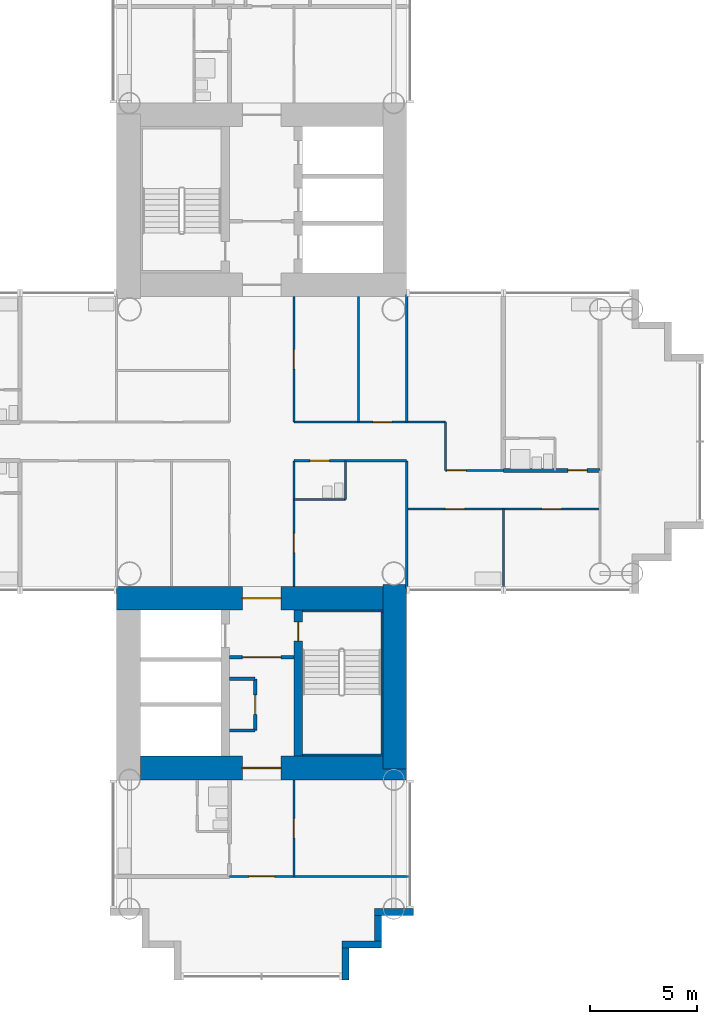
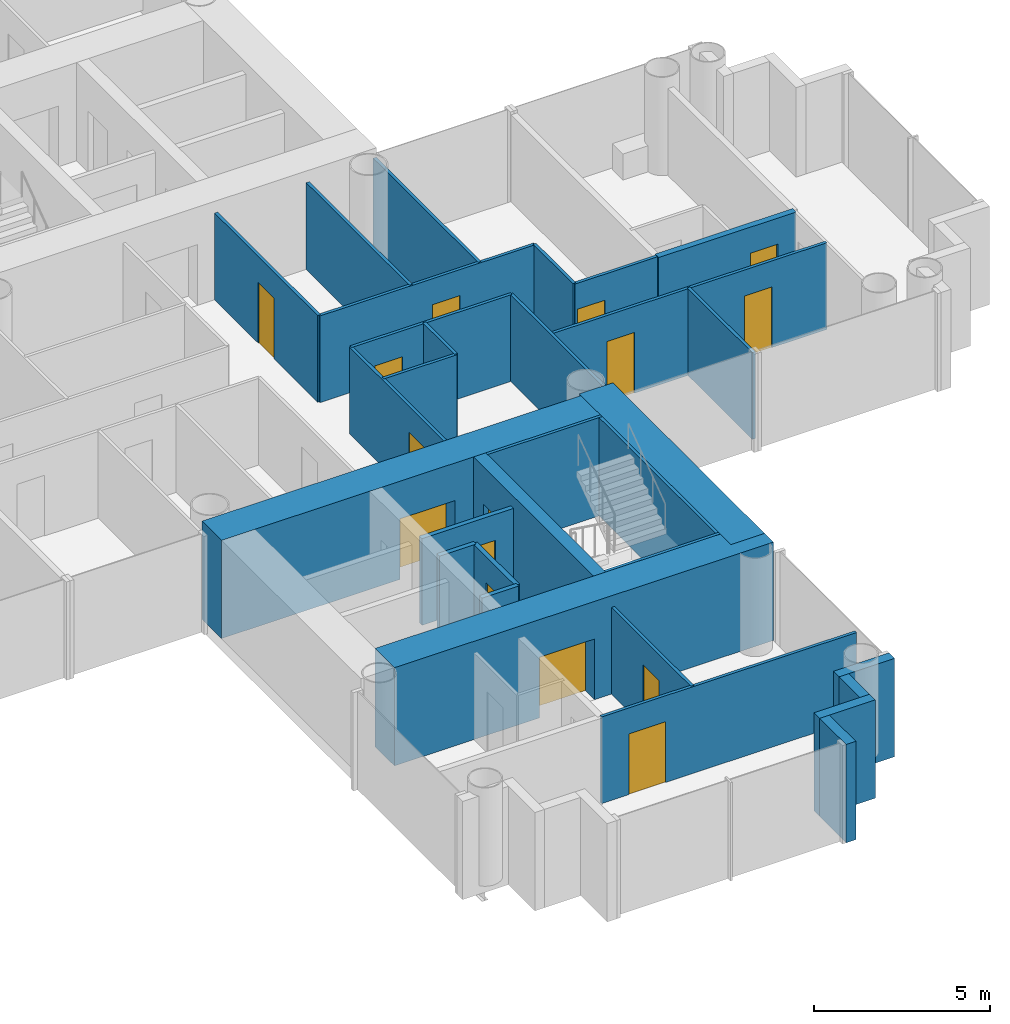
# One storey, part 13 of 21: 31 walls, 15 doors, 15 openings.
"""IFC4 building model written with IfcOpenShell, lengths in metres."""

from ifc_helpers import new_model, si_unit, direction, frame, frame_2d, origin, place, context, subcontext, project, spatial, rectangle, extrude, material, layer, layer_set, type_object, element, fill, save


model = new_model("IFC4")

# Units and contexts
model_context = context("Model", 3, precision=1e-05, world=origin(), true_north=direction((0.0, 1.0)))
body_context = subcontext(model_context, "Body", "Model", "MODEL_VIEW")
ifc_project = project(units=[si_unit("LENGTHUNIT", "METRE"), si_unit("AREAUNIT", "SQUARE_METRE"), si_unit("VOLUMEUNIT", "CUBIC_METRE"), si_unit("PLANEANGLEUNIT", "RADIAN"), si_unit("MASSUNIT", "GRAM", prefix="KILO")], contexts=[model_context])

# Site, building, storey
site_placement = place(None, origin())
site = spatial("IfcSite", under=ifc_project, at=site_placement, CompositionType="ELEMENT")
building_placement = place(site_placement, origin())
building = spatial("IfcBuilding", under=site, at=building_placement, Name="Ipe Terrace Towers", CompositionType="ELEMENT")
storey_placement = place(building_placement, frame((0.0, 0.0, 34.699951171875)))
storey = spatial("IfcBuildingStorey", under=building, at=storey_placement, Name="L08", CompositionType="ELEMENT", Elevation=34.699951171875)

# Walls
ifc_material_1 = material(Name="Concrete C40/50 with buff precast cladding", Category="concrete")
ifc_layer_1 = layer(ifc_material_1, 0.320068359375)
ifc_layer_set_1 = layer_set([ifc_layer_1], Name="BUFF CLADDING WALL 320")
wall_type_1 = type_object("IfcWallType", Name="BUFF CLADDING WALL 320", PredefinedType="STANDARD", material=ifc_layer_set_1)
wall_1_placement = place(storey_placement, frame((39.909912109375, -25.070068359375, -0.300048828125), z_axis=(0.0, 0.0, 1.0), x_axis=(0.0, 1.0, 0.0)))
element("IfcWall", 1, at=wall_1_placement, inside=storey, type_object=wall_type_1, Name="T2-W-L08-00a wall", PredefinedType="STANDARD", context=body_context, shape_type="SweptSolid", body=[
    extrude(rectangle(XDim=1.5, YDim=0.320068359375, at=frame_2d((0.75, 0.0))), origin(), (0.0, 0.0, 1.0), 3.400146484375),
])
wall_2_placement = place(storey_placement, frame((39.75, -23.409912109375, -0.300048828125), z_axis=(0.0, 0.0, 1.0), x_axis=(1.0, 0.0, 0.0)))
element("IfcWall", 2, at=wall_2_placement, inside=storey, type_object=wall_type_1, Name="T2-W-L08-01a wall", PredefinedType="STANDARD", context=body_context, shape_type="SweptSolid", body=[
    extrude(rectangle(XDim=1.820068359375, YDim=0.320068359375, at=frame_2d((0.91015625, 0.0))), origin(), (0.0, 0.0, 1.0), 3.400146484375),
])
wall_3_placement = place(storey_placement, frame((41.409912109375, -23.25, -0.300048828125), z_axis=(0.0, 0.0, 1.0), x_axis=(0.0, 1.0, 0.0)))
element("IfcWall", 3, at=wall_3_placement, inside=storey, type_object=wall_type_1, Name="T2-W-L08-02a wall", PredefinedType="STANDARD", context=body_context, shape_type="SweptSolid", body=[
    extrude(rectangle(XDim=1.179931640625, YDim=0.320068359375, at=frame_2d((0.58984375, 0.0))), origin(), (0.0, 0.0, 1.0), 3.400146484375),
])
wall_4_placement = place(storey_placement, frame((41.25, -21.909912109375, -0.300048828125), z_axis=(0.0, 0.0, 1.0), x_axis=(1.0, 0.0, 0.0)))
element("IfcWall", 4, at=wall_4_placement, inside=storey, type_object=wall_type_1, Name="T2-W-L08-03a wall", PredefinedType="STANDARD", context=body_context, shape_type="SweptSolid", body=[
    extrude(rectangle(XDim=1.820068359375, YDim=0.320068359375, at=frame_2d((0.91015625, 0.0))), origin(), (0.0, 0.0, 1.0), 3.400146484375),
])

# Wall, opening, door
ifc_material_2 = material(Name="Gypsum board partition", Category="plasterboard")
ifc_layer_2 = layer(ifc_material_2, 0.10009765625)
ifc_layer_set_2 = layer_set([ifc_layer_2], Name="Gypsum board partition 100 mm")
wall_type_2 = type_object("IfcWallType", Name="Gypsum board partition 100 mm", PredefinedType="PARTITIONING", material=ifc_layer_set_2)
wall_5_placement = place(storey_placement, frame((42.85009765625, -20.25, 0.0), z_axis=(0.0, 0.0, 1.0), x_axis=(-1.0, 0.0, 0.0)))
wall_5 = element("IfcWall", 5, at=wall_5_placement, inside=storey, type_object=wall_type_2, Name="Gypsum board partition T2 L08 W01", PredefinedType="PARTITIONING", context=body_context, shape_type="SweptSolid", body=[
    extrude(rectangle(XDim=8.35009765625, YDim=0.10009765625, at=frame_2d((4.175048828125, 0.0))), origin(), (0.0, 0.0, 1.0), 3.0),
])
opening_1_placement = place(wall_5_placement, frame((6.25, 0.0, 0.0)))
opening_1 = element("IfcOpeningElement", 6, at=opening_1_placement, cuts=wall_5, Name="Opening T2-Z1B-33", PredefinedType="OPENING", context=body_context, shape_type="SweptSolid", body=[
    extrude(rectangle(XDim=1.199951171875, YDim=2.10009765625, at=frame_2d((0.60009765625, 1.050048828125))), frame((0.0, 0.06005859375, 0.0), z_axis=(0.0, -1.0, 0.0), x_axis=(1.0, 0.0, 0.0)), (0.0, 0.0, 1.0), 0.1201171875),
])
ifc_material_3 = material(Name="Timber door leaf", Category="wood")
door_type_1 = type_object("IfcDoorType", Name="Lounge door 1200 x 2100", OperationType="NOTDEFINED", PredefinedType="DOOR", material=ifc_material_3)
door_1_placement = place(opening_1_placement, origin())
door_1 = element("IfcDoor", 7, at=door_1_placement, inside=storey, type_object=door_type_1, Name="Lounge door T2-Z1B-33", OperationType="SINGLE_SWING_LEFT", OverallHeight=2.10009765625, OverallWidth=1.199951171875, PredefinedType="DOOR", context=body_context, shape_type="SweptSolid", body=[
    extrude(rectangle(XDim=1.199951171875, YDim=2.10009765625, at=frame_2d((0.60009765625, 1.050048828125))), frame((0.0, 0.02490234375, 0.0), z_axis=(0.0, -1.0, 0.0), x_axis=(1.0, 0.0, 0.0)), (0.0, 0.0, 1.0), 0.050048828125),
])
fill(opening_1, door_1)

# Wall, openings, doors
wall_6_placement = place(storey_placement, frame((51.75, -3.14990234375, 0.0), z_axis=(0.0, 0.0, 1.0), x_axis=(-1.0, 0.0, 0.0)))
wall_6 = element("IfcWall", 8, at=wall_6_placement, inside=storey, type_object=wall_type_2, Name="Gypsum board partition T2 L08 W04", PredefinedType="PARTITIONING", context=body_context, shape_type="SweptSolid", body=[
    extrude(rectangle(XDim=9.0, YDim=0.10009765625, at=frame_2d((4.5, 0.0))), origin(), (0.0, 0.0, 1.0), 3.0),
])
opening_2_placement = place(wall_6_placement, frame((6.300048828125, 0.0, 0.0)))
opening_2 = element("IfcOpeningElement", 9, at=opening_2_placement, cuts=wall_6, Name="Opening T2-Z1B-19", PredefinedType="OPENING", context=body_context, shape_type="SweptSolid", body=[
    extrude(rectangle(XDim=0.89990234375, YDim=2.10009765625, at=frame_2d((0.449951171875, 1.050048828125))), frame((0.0, 0.06005859375, 0.0), z_axis=(0.0, -1.0, 0.0), x_axis=(1.0, 0.0, 0.0)), (0.0, 0.0, 1.0), 0.1201171875),
])
opening_3_placement = place(wall_6_placement, frame((1.800048828125, 0.0, 0.0)))
opening_3 = element("IfcOpeningElement", 10, at=opening_3_placement, cuts=wall_6, Name="Opening T2-Z1B-20", PredefinedType="OPENING", context=body_context, shape_type="SweptSolid", body=[
    extrude(rectangle(XDim=0.89990234375, YDim=2.10009765625, at=frame_2d((0.449951171875, 1.050048828125))), frame((0.0, 0.06005859375, 0.0), z_axis=(0.0, -1.0, 0.0), x_axis=(1.0, 0.0, 0.0)), (0.0, 0.0, 1.0), 0.1201171875),
])
ifc_material_4 = material(Name="Timber door leaf", Category="wood")
door_type_2 = type_object("IfcDoorType", Name="Lounge door 900 x 2100", OperationType="NOTDEFINED", PredefinedType="DOOR", material=ifc_material_4)
door_2_placement = place(opening_2_placement, origin())
door_2 = element("IfcDoor", 11, at=door_2_placement, inside=storey, type_object=door_type_2, Name="Lounge door T2-Z1B-19", OperationType="SINGLE_SWING_LEFT", OverallHeight=2.10009765625, OverallWidth=0.89990234375, PredefinedType="DOOR", context=body_context, shape_type="SweptSolid", body=[
    extrude(rectangle(XDim=0.89990234375, YDim=2.10009765625, at=frame_2d((0.449951171875, 1.050048828125))), frame((0.0, 0.02490234375, 0.0), z_axis=(0.0, -1.0, 0.0), x_axis=(1.0, 0.0, 0.0)), (0.0, 0.0, 1.0), 0.050048828125),
])
fill(opening_2, door_2)
door_3_placement = place(opening_3_placement, origin())
door_3 = element("IfcDoor", 12, at=door_3_placement, inside=storey, type_object=door_type_2, Name="Lounge door T2-Z1B-20", OperationType="SINGLE_SWING_RIGHT", OverallHeight=2.10009765625, OverallWidth=0.89990234375, PredefinedType="DOOR", context=body_context, shape_type="SweptSolid", body=[
    extrude(rectangle(XDim=0.89990234375, YDim=2.10009765625, at=frame_2d((0.449951171875, 1.050048828125))), frame((0.0, 0.02490234375, 0.0), z_axis=(0.0, -1.0, 0.0), x_axis=(1.0, 0.0, 0.0)), (0.0, 0.0, 1.0), 0.050048828125),
])
fill(opening_3, door_3)

# Wall
wall_7_placement = place(storey_placement, frame((39.89990234375, -2.699951171875, 0.0), z_axis=(0.0, 0.0, 1.0), x_axis=(-1.0, 0.0, 0.0)))
element("IfcWall", 13, at=wall_7_placement, inside=storey, type_object=wall_type_2, Name="Gypsum board partition T2 L08 W05", PredefinedType="PARTITIONING", context=body_context, shape_type="SweptSolid", body=[
    extrude(rectangle(XDim=2.39990234375, YDim=0.10009765625, at=frame_2d((1.199951171875, 0.0))), origin(), (0.0, 0.0, 1.0), 3.0),
])

# Wall, opening, door
wall_8_placement = place(storey_placement, frame((47.25, -1.35009765625, 0.0), z_axis=(0.0, 0.0, 1.0), x_axis=(-1.0, 0.0, 0.0)))
wall_8 = element("IfcWall", 14, at=wall_8_placement, inside=storey, type_object=wall_type_2, Name="Gypsum board partition T2 L08 W07", PredefinedType="PARTITIONING", context=body_context, shape_type="SweptSolid", body=[
    extrude(rectangle(XDim=2.699951171875, YDim=0.10009765625, at=frame_2d((1.35009765625, 0.0))), origin(), (0.0, 0.0, 1.0), 3.0),
])
opening_4_placement = place(wall_8_placement, frame((1.72998046875, 0.0, 0.0)))
opening_4 = element("IfcOpeningElement", 15, at=opening_4_placement, cuts=wall_8, Name="Opening T2-Z1B-16", PredefinedType="OPENING", context=body_context, shape_type="SweptSolid", body=[
    extrude(rectangle(XDim=0.89990234375, YDim=2.10009765625, at=frame_2d((0.449951171875, 1.050048828125))), frame((0.0, 0.06005859375, 0.0), z_axis=(0.0, -1.0, 0.0), x_axis=(1.0, 0.0, 0.0)), (0.0, 0.0, 1.0), 0.1201171875),
])
door_4_placement = place(opening_4_placement, origin())
door_4 = element("IfcDoor", 16, at=door_4_placement, inside=storey, type_object=door_type_2, Name="Lounge door T2-Z1B-16", OperationType="SINGLE_SWING_RIGHT", OverallHeight=2.10009765625, OverallWidth=0.89990234375, PredefinedType="DOOR", context=body_context, shape_type="SweptSolid", body=[
    extrude(rectangle(XDim=0.89990234375, YDim=2.10009765625, at=frame_2d((0.449951171875, 1.050048828125))), frame((0.0, 0.02490234375, 0.0), z_axis=(0.0, -1.0, 0.0), x_axis=(1.0, 0.0, 0.0)), (0.0, 0.0, 1.0), 0.050048828125),
])
fill(opening_4, door_4)

wall_9_placement = place(storey_placement, frame((42.75, -0.89990234375, 0.0), z_axis=(0.0, 0.0, 1.0), x_axis=(-1.0, 0.0, 0.0)))
wall_9 = element("IfcWall", 17, at=wall_9_placement, inside=storey, type_object=wall_type_2, Name="Gypsum board partition T2 L08 W09", PredefinedType="PARTITIONING", context=body_context, shape_type="SweptSolid", body=[
    extrude(rectangle(XDim=5.25, YDim=0.10009765625, at=frame_2d((2.625, 0.0))), origin(), (0.0, 0.0, 1.0), 3.0),
])
opening_5_placement = place(wall_9_placement, frame((3.60009765625, 0.0, 0.0)))
opening_5 = element("IfcOpeningElement", 18, at=opening_5_placement, cuts=wall_9, Name="Opening T2-Z1B-01", PredefinedType="OPENING", context=body_context, shape_type="SweptSolid", body=[
    extrude(rectangle(XDim=0.89990234375, YDim=2.10009765625, at=frame_2d((0.449951171875, 1.050048828125))), frame((0.0, 0.06005859375, 0.0), z_axis=(0.0, -1.0, 0.0), x_axis=(1.0, 0.0, 0.0)), (0.0, 0.0, 1.0), 0.1201171875),
])
ifc_material_5 = material(Name="Timber door leaf", Category="wood")
door_type_3 = type_object("IfcDoorType", Name="Bathroom door 900 x 2100", OperationType="NOTDEFINED", PredefinedType="DOOR", material=ifc_material_5)
door_5_placement = place(opening_5_placement, origin())
door_5 = element("IfcDoor", 19, at=door_5_placement, inside=storey, type_object=door_type_3, Name="Bathroom door T2-Z1B-01", OperationType="SINGLE_SWING_LEFT", OverallHeight=2.10009765625, OverallWidth=0.89990234375, PredefinedType="DOOR", context=body_context, shape_type="SweptSolid", body=[
    extrude(rectangle(XDim=0.89990234375, YDim=2.10009765625, at=frame_2d((0.449951171875, 1.050048828125))), frame((0.0, 0.02490234375, 0.0), z_axis=(0.0, -1.0, 0.0), x_axis=(1.0, 0.0, 0.0)), (0.0, 0.0, 1.0), 0.050048828125),
])
fill(opening_5, door_5)

wall_10_placement = place(storey_placement, frame((44.550048828125, 0.89990234375, 0.0), z_axis=(0.0, 0.0, 1.0), x_axis=(-1.0, 0.0, 0.0)))
wall_10 = element("IfcWall", 20, at=wall_10_placement, inside=storey, type_object=wall_type_2, Name="Gypsum board partition T2 L08 W13", PredefinedType="PARTITIONING", context=body_context, shape_type="SweptSolid", body=[
    extrude(rectangle(XDim=7.050048828125, YDim=0.10009765625, at=frame_2d((3.52490234375, 0.0))), origin(), (0.0, 0.0, 1.0), 3.0),
])
opening_6_placement = place(wall_10_placement, frame((2.47509765625, 0.0, 0.0)))
opening_6 = element("IfcOpeningElement", 21, at=opening_6_placement, cuts=wall_10, Name="Opening T2-Z1B-08", PredefinedType="OPENING", context=body_context, shape_type="SweptSolid", body=[
    extrude(rectangle(XDim=0.89990234375, YDim=2.10009765625, at=frame_2d((0.449951171875, 1.050048828125))), frame((0.0, 0.06005859375, 0.0), z_axis=(0.0, -1.0, 0.0), x_axis=(1.0, 0.0, 0.0)), (0.0, 0.0, 1.0), 0.1201171875),
])
door_6_placement = place(opening_6_placement, origin())
door_6 = element("IfcDoor", 22, at=door_6_placement, inside=storey, type_object=door_type_2, Name="Lounge door T2-Z1B-08", OperationType="SINGLE_SWING_LEFT", OverallHeight=2.10009765625, OverallWidth=0.89990234375, PredefinedType="DOOR", context=body_context, shape_type="SweptSolid", body=[
    extrude(rectangle(XDim=0.89990234375, YDim=2.10009765625, at=frame_2d((0.449951171875, 1.050048828125))), frame((0.0, 0.02490234375, 0.0), z_axis=(0.0, -1.0, 0.0), x_axis=(1.0, 0.0, 0.0)), (0.0, 0.0, 1.0), 0.050048828125),
])
fill(opening_6, door_6)

# Walls
wall_11_placement = place(storey_placement, frame((47.25, -6.85009765625, 0.0), z_axis=(0.0, 0.0, 1.0), x_axis=(0.0, 1.0, 0.0)))
element("IfcWall", 23, at=wall_11_placement, inside=storey, type_object=wall_type_2, Name="Gypsum board partition T2 L08 W24", PredefinedType="PARTITIONING", context=body_context, shape_type="SweptSolid", body=[
    extrude(rectangle(XDim=3.7001953125, YDim=0.10009765625, at=frame_2d((1.85009765625, 0.0))), origin(), (0.0, 0.0, 1.0), 3.0),
])
wall_12_placement = place(storey_placement, frame((44.550048828125, -1.35009765625, 0.0), z_axis=(0.0, 0.0, 1.0), x_axis=(0.0, 1.0, 0.0)))
element("IfcWall", 24, at=wall_12_placement, inside=storey, type_object=wall_type_2, Name="Gypsum board partition T2 L08 W26", PredefinedType="PARTITIONING", context=body_context, shape_type="SweptSolid", body=[
    extrude(rectangle(XDim=2.25, YDim=0.10009765625, at=frame_2d((1.125, 0.0))), origin(), (0.0, 0.0, 1.0), 3.0),
])
for number, where, z_axis, x_axis, name in (
    (25, (42.75, -6.85009765625, 0.0), (0.0, 0.0, 1.0), (0.0, 1.0, 0.0), "Gypsum board partition T2 L08 W27"),
    (26, (42.75, 0.89990234375, 0.0), (0.0, 0.0, 1.0), (0.0, 1.0, 0.0), "Gypsum board partition T2 L08 W28"),
):
    element("IfcWall", number, at=place(storey_placement, frame(where, z_axis=z_axis, x_axis=x_axis)), inside=storey, type_object=wall_type_2, Name=name, PredefinedType="PARTITIONING", context=body_context, shape_type="SweptSolid", body=[
        extrude(rectangle(XDim=5.9501953125, YDim=0.10009765625, at=frame_2d((2.97509765625, 0.0))), origin(), (0.0, 0.0, 1.0), 3.0),
    ])
wall_13_placement = place(storey_placement, frame((40.5, 0.89990234375, 0.0), z_axis=(0.0, 0.0, 1.0), x_axis=(0.0, 1.0, 0.0)))
element("IfcWall", 27, at=wall_13_placement, inside=storey, type_object=wall_type_2, Name="Gypsum board partition T2 L08 W29", PredefinedType="PARTITIONING", context=body_context, shape_type="SweptSolid", body=[
    extrude(rectangle(XDim=5.85009765625, YDim=0.10009765625, at=frame_2d((2.925048828125, 0.0))), origin(), (0.0, 0.0, 1.0), 3.0),
])
wall_14_placement = place(storey_placement, frame((39.89990234375, -2.699951171875, 0.0), z_axis=(0.0, 0.0, 1.0), x_axis=(0.0, 1.0, 0.0)))
element("IfcWall", 28, at=wall_14_placement, inside=storey, type_object=wall_type_2, Name="Gypsum board partition T2 L08 W30", PredefinedType="PARTITIONING", context=body_context, shape_type="SweptSolid", body=[
    extrude(rectangle(XDim=1.800048828125, YDim=0.10009765625, at=frame_2d((0.89990234375, 0.0))), origin(), (0.0, 0.0, 1.0), 3.0),
])

# Wall, opening, door
wall_15_placement = place(storey_placement, frame((37.5, -20.25, 0.0), z_axis=(0.0, 0.0, 1.0), x_axis=(0.0, 1.0, 0.0)))
wall_15 = element("IfcWall", 29, at=wall_15_placement, inside=storey, type_object=wall_type_2, Name="Gypsum board partition T2 L08 W32", PredefinedType="PARTITIONING", context=body_context, shape_type="SweptSolid", body=[
    extrude(rectangle(XDim=4.5, YDim=0.10009765625, at=frame_2d((2.25, 0.0))), origin(), (0.0, 0.0, 1.0), 3.0),
])
opening_7_placement = place(wall_15_placement, frame((1.800048828125, 0.0, 0.0)))
opening_7 = element("IfcOpeningElement", 30, at=opening_7_placement, cuts=wall_15, Name="Opening T2-Z1B-30", PredefinedType="OPENING", context=body_context, shape_type="SweptSolid", body=[
    extrude(rectangle(XDim=0.89990234375, YDim=2.10009765625, at=frame_2d((0.449951171875, 1.050048828125))), frame((0.0, 0.06005859375, 0.0), z_axis=(0.0, -1.0, 0.0), x_axis=(1.0, 0.0, 0.0)), (0.0, 0.0, 1.0), 0.1201171875),
])
door_7_placement = place(opening_7_placement, origin())
door_7 = element("IfcDoor", 31, at=door_7_placement, inside=storey, type_object=door_type_2, Name="Lounge door T2-Z1B-30", OperationType="SINGLE_SWING_RIGHT", OverallHeight=2.10009765625, OverallWidth=0.89990234375, PredefinedType="DOOR", context=body_context, shape_type="SweptSolid", body=[
    extrude(rectangle(XDim=0.89990234375, YDim=2.10009765625, at=frame_2d((0.449951171875, 1.050048828125))), frame((0.0, 0.02490234375, 0.0), z_axis=(0.0, -1.0, 0.0), x_axis=(1.0, 0.0, 0.0)), (0.0, 0.0, 1.0), 0.050048828125),
])
fill(opening_7, door_7)

wall_16_placement = place(storey_placement, frame((37.5, -6.75, 0.0), z_axis=(0.0, 0.0, 1.0), x_axis=(0.0, 1.0, 0.0)))
wall_16 = element("IfcWall", 32, at=wall_16_placement, inside=storey, type_object=wall_type_2, Name="Gypsum board partition T2 L08 W33", PredefinedType="PARTITIONING", context=body_context, shape_type="SweptSolid", body=[
    extrude(rectangle(XDim=5.85009765625, YDim=0.10009765625, at=frame_2d((2.925048828125, 0.0))), origin(), (0.0, 0.0, 1.0), 3.0),
])
opening_8_placement = place(wall_16_placement, frame((1.574951171875, 0.0, 0.0)))
opening_8 = element("IfcOpeningElement", 33, at=opening_8_placement, cuts=wall_16, Name="Opening T2-Z1B-06", PredefinedType="OPENING", context=body_context, shape_type="SweptSolid", body=[
    extrude(rectangle(XDim=0.89990234375, YDim=2.10009765625, at=frame_2d((0.449951171875, 1.050048828125))), frame((0.0, 0.06005859375, 0.0), z_axis=(0.0, -1.0, 0.0), x_axis=(1.0, 0.0, 0.0)), (0.0, 0.0, 1.0), 0.1201171875),
])
door_8_placement = place(opening_8_placement, origin())
door_8 = element("IfcDoor", 34, at=door_8_placement, inside=storey, type_object=door_type_2, Name="Lounge door T2-Z1B-06", OperationType="SINGLE_SWING_LEFT", OverallHeight=2.10009765625, OverallWidth=0.89990234375, PredefinedType="DOOR", context=body_context, shape_type="SweptSolid", body=[
    extrude(rectangle(XDim=0.89990234375, YDim=2.10009765625, at=frame_2d((0.449951171875, 1.050048828125))), frame((0.0, 0.02490234375, 0.0), z_axis=(0.0, -1.0, 0.0), x_axis=(1.0, 0.0, 0.0)), (0.0, 0.0, 1.0), 0.050048828125),
])
fill(opening_8, door_8)

wall_17_placement = place(storey_placement, frame((37.5, 0.89990234375, 0.0), z_axis=(0.0, 0.0, 1.0), x_axis=(0.0, 1.0, 0.0)))
wall_17 = element("IfcWall", 35, at=wall_17_placement, inside=storey, type_object=wall_type_2, Name="Gypsum board partition T2 L08 W34", PredefinedType="PARTITIONING", context=body_context, shape_type="SweptSolid", body=[
    extrude(rectangle(XDim=5.85009765625, YDim=0.10009765625, at=frame_2d((2.925048828125, 0.0))), origin(), (0.0, 0.0, 1.0), 3.0),
])
opening_9_placement = place(wall_17_placement, frame((2.47509765625, 0.0, 0.0)))
opening_9 = element("IfcOpeningElement", 36, at=opening_9_placement, cuts=wall_17, Name="Opening T2-Z1B-07", PredefinedType="OPENING", context=body_context, shape_type="SweptSolid", body=[
    extrude(rectangle(XDim=0.89990234375, YDim=2.10009765625, at=frame_2d((0.449951171875, 1.050048828125))), frame((0.0, 0.06005859375, 0.0), z_axis=(0.0, -1.0, 0.0), x_axis=(1.0, 0.0, 0.0)), (0.0, 0.0, 1.0), 0.1201171875),
])
door_9_placement = place(opening_9_placement, origin())
door_9 = element("IfcDoor", 37, at=door_9_placement, inside=storey, type_object=door_type_2, Name="Lounge door T2-Z1B-07", OperationType="SINGLE_SWING_RIGHT", OverallHeight=2.10009765625, OverallWidth=0.89990234375, PredefinedType="DOOR", context=body_context, shape_type="SweptSolid", body=[
    extrude(rectangle(XDim=0.89990234375, YDim=2.10009765625, at=frame_2d((0.449951171875, 1.050048828125))), frame((0.0, 0.02490234375, 0.0), z_axis=(0.0, -1.0, 0.0), x_axis=(1.0, 0.0, 0.0)), (0.0, 0.0, 1.0), 0.050048828125),
])
fill(opening_9, door_9)

ifc_material_6 = material(Name="Gypsum board partition", Category="plasterboard")
ifc_layer_3 = layer(ifc_material_6, 0.14990234375)
ifc_layer_set_3 = layer_set([ifc_layer_3], Name="Gypsum board partition 150 mm")
wall_type_3 = type_object("IfcWallType", Name="Gypsum board partition 150 mm", PredefinedType="PARTITIONING", material=ifc_layer_set_3)
wall_18_placement = place(storey_placement, frame((34.5, -10.050048828125, 0.0), z_axis=(0.0, 0.0, 1.0), x_axis=(1.0, 0.0, 0.0)))
wall_18 = element("IfcWall", 38, at=wall_18_placement, inside=storey, type_object=wall_type_3, Name="Gypsum board partition T2 L08 t2c2-lobby-wall", PredefinedType="PARTITIONING", context=body_context, shape_type="SweptSolid", body=[
    extrude(rectangle(XDim=3.0, YDim=0.14990234375, at=frame_2d((1.5, 0.0))), origin(), (0.0, 0.0, 1.0), 3.0),
])
opening_10_placement = place(wall_18_placement, frame((0.60009765625, 0.0, 0.0)))
opening_10 = element("IfcOpeningElement", 39, at=opening_10_placement, cuts=wall_18, Name="Opening T2C2-VD", PredefinedType="OPENING", context=body_context, shape_type="SweptSolid", body=[
    extrude(rectangle(XDim=1.800048828125, YDim=2.10009765625, at=frame_2d((0.89990234375, 1.050048828125))), frame((0.0, 0.0849609375, 0.0), z_axis=(0.0, -1.0, 0.0), x_axis=(1.0, 0.0, 0.0)), (0.0, 0.0, 1.0), 0.169921875),
])
ifc_material_7 = material(Name="Fire-rated timber door leaf", Category="wood")
door_type_4 = type_object("IfcDoorType", Name="Lobby door 1800 x 2100 FD60", OperationType="NOTDEFINED", PredefinedType="DOOR", material=ifc_material_7)
door_10_placement = place(opening_10_placement, origin())
door_10 = element("IfcDoor", 40, at=door_10_placement, inside=storey, type_object=door_type_4, Name="Lobby door T2C2-VD", OperationType="SINGLE_SWING_LEFT", OverallHeight=2.10009765625, OverallWidth=1.800048828125, PredefinedType="DOOR", context=body_context, shape_type="SweptSolid", body=[
    extrude(rectangle(XDim=1.800048828125, YDim=2.10009765625, at=frame_2d((0.89990234375, 1.050048828125))), frame((0.0, 0.02490234375, 0.0), z_axis=(0.0, -1.0, 0.0), x_axis=(1.0, 0.0, 0.0)), (0.0, 0.0, 1.0), 0.050048828125),
])
fill(opening_10, door_10)

wall_19_placement = place(storey_placement, frame((35.699951171875, -11.050048828125, 0.0), z_axis=(0.0, 0.0, 1.0), x_axis=(0.0, -1.0, 0.0)))
wall_19 = element("IfcWall", 41, at=wall_19_placement, inside=storey, type_object=wall_type_3, Name="Gypsum board partition T2 L08 t2c2-cup-s-f", PredefinedType="PARTITIONING", context=body_context, shape_type="SweptSolid", body=[
    extrude(rectangle(XDim=2.39990234375, YDim=0.14990234375, at=frame_2d((1.199951171875, 0.0))), origin(), (0.0, 0.0, 1.0), 3.0),
])
opening_11_placement = place(wall_19_placement, frame((0.75, 0.0, 0.0)))
opening_11 = element("IfcOpeningElement", 42, at=opening_11_placement, cuts=wall_19, Name="Opening T2C2-SC", PredefinedType="OPENING", context=body_context, shape_type="SweptSolid", body=[
    extrude(rectangle(XDim=0.89990234375, YDim=2.10009765625, at=frame_2d((0.449951171875, 1.050048828125))), frame((0.0, 0.0849609375, 0.0), z_axis=(0.0, -1.0, 0.0), x_axis=(1.0, 0.0, 0.0)), (0.0, 0.0, 1.0), 0.169921875),
])
ifc_material_8 = material(Name="Fire-rated timber door leaf", Category="wood")
door_type_5 = type_object("IfcDoorType", Name="Service door 900 x 2100 FD30S", OperationType="NOTDEFINED", PredefinedType="DOOR", material=ifc_material_8)
door_11_placement = place(opening_11_placement, origin())
door_11 = element("IfcDoor", 43, at=door_11_placement, inside=storey, type_object=door_type_5, Name="Service door T2C2-SC", OperationType="SINGLE_SWING_LEFT", OverallHeight=2.10009765625, OverallWidth=0.89990234375, PredefinedType="DOOR", context=body_context, shape_type="SweptSolid", body=[
    extrude(rectangle(XDim=0.89990234375, YDim=2.10009765625, at=frame_2d((0.449951171875, 1.050048828125))), frame((0.0, 0.02490234375, 0.0), z_axis=(0.0, -1.0, 0.0), x_axis=(1.0, 0.0, 0.0)), (0.0, 0.0, 1.0), 0.050048828125),
])
fill(opening_11, door_11)

# Walls
for number, where, z_axis, x_axis, name in (
    (44, (35.699951171875, -11.050048828125, 0.0), (0.0, 0.0, 1.0), (-1.0, 0.0, 0.0), "Gypsum board partition T2 L08 t2c2-cup-s-a"),
    (45, (35.699951171875, -13.449951171875, 0.0), (0.0, 0.0, 1.0), (-1.0, 0.0, 0.0), "Gypsum board partition T2 L08 t2c2-cup-s-b"),
):
    element("IfcWall", number, at=place(storey_placement, frame(where, z_axis=z_axis, x_axis=x_axis)), inside=storey, type_object=wall_type_3, Name=name, PredefinedType="PARTITIONING", context=body_context, shape_type="SweptSolid", body=[
        extrude(rectangle(XDim=1.199951171875, YDim=0.14990234375, at=frame_2d((0.60009765625, 0.0))), origin(), (0.0, 0.0, 1.0), 3.0),
    ])

# Wall, opening, door
ifc_material_9 = material(Name="Gypsum board party wall", Category="plasterboard")
ifc_layer_4 = layer(ifc_material_9, 0.199951171875)
ifc_layer_set_4 = layer_set([ifc_layer_4], Name="Gypsum board party wall 200 mm")
wall_type_4 = type_object("IfcWallType", Name="Gypsum board party wall 200 mm", PredefinedType="SOLIDWALL", material=ifc_layer_set_4)
wall_20_placement = place(storey_placement, frame((51.75, -1.35009765625, 0.0), z_axis=(0.0, 0.0, 1.0), x_axis=(-1.0, 0.0, 0.0)))
wall_20 = element("IfcWall", 46, at=wall_20_placement, inside=storey, type_object=wall_type_4, Name="Gypsum board party wall T2 L08 W08", PredefinedType="SOLIDWALL", context=body_context, shape_type="SweptSolid", body=[
    extrude(rectangle(XDim=4.5, YDim=0.199951171875, at=frame_2d((2.25, 0.0))), origin(), (0.0, 0.0, 1.0), 3.0),
])
opening_12_placement = place(wall_20_placement, frame((0.60009765625, 0.0, 0.0)))
opening_12 = element("IfcOpeningElement", 47, at=opening_12_placement, cuts=wall_20, Name="Opening T2-Z1B-17", PredefinedType="OPENING", context=body_context, shape_type="SweptSolid", body=[
    extrude(rectangle(XDim=0.89990234375, YDim=2.10009765625, at=frame_2d((0.449951171875, 1.050048828125))), frame((0.0, 0.10986328125, 0.0), z_axis=(0.0, -1.0, 0.0), x_axis=(1.0, 0.0, 0.0)), (0.0, 0.0, 1.0), 0.219970703125),
])
ifc_material_10 = material(Name="Fire-rated timber door leaf", Category="wood")
door_type_6 = type_object("IfcDoorType", Name="Flat entrance door 900 x 2100 FD30S", OperationType="NOTDEFINED", PredefinedType="DOOR", material=ifc_material_10)
door_12_placement = place(opening_12_placement, origin())
door_12 = element("IfcDoor", 48, at=door_12_placement, inside=storey, type_object=door_type_6, Name="Flat entrance door T2-Z1B-17", OperationType="SINGLE_SWING_LEFT", OverallHeight=2.10009765625, OverallWidth=0.89990234375, PredefinedType="DOOR", context=body_context, shape_type="SweptSolid", body=[
    extrude(rectangle(XDim=0.89990234375, YDim=2.10009765625, at=frame_2d((0.449951171875, 1.050048828125))), frame((0.0, 0.02490234375, 0.0), z_axis=(0.0, -1.0, 0.0), x_axis=(1.0, 0.0, 0.0)), (0.0, 0.0, 1.0), 0.050048828125),
])
fill(opening_12, door_12)

# Walls
ifc_material_11 = material(Name="Concrete C60/75", Category="concrete")
ifc_layer_5 = layer(ifc_material_11, 0.10009765625)
ifc_layer_set_5 = layer_set([ifc_layer_5], Name="RW100 CORE INFILL WALL 100 C60-75")
wall_type_5 = type_object("IfcWallType", Name="RW100 CORE INFILL WALL 100 C60-75", PredefinedType="SHEAR", material=ifc_layer_set_5)
wall_21_placement = place(storey_placement, frame((37.89990234375, -14.60009765625, 0.0), z_axis=(0.0, 0.0, 1.0), x_axis=(1.0, 0.0, 0.0)))
element("IfcWall", 49, at=wall_21_placement, inside=storey, type_object=wall_type_5, Name="Core infill wall T2-C2-far", PredefinedType="SHEAR", context=body_context, shape_type="SweptSolid", body=[
    extrude(rectangle(XDim=3.75, YDim=0.10009765625, at=frame_2d((1.875, 0.0))), origin(), (0.0, 0.0, 1.0), 3.400146484375),
])
wall_22_placement = place(storey_placement, frame((41.60009765625, -7.949951171875, 0.0), z_axis=(0.0, 0.0, 1.0), x_axis=(0.0, -1.0, 0.0)))
element("IfcWall", 50, at=wall_22_placement, inside=storey, type_object=wall_type_5, Name="Core infill wall T2-C2-back", PredefinedType="SHEAR", context=body_context, shape_type="SweptSolid", body=[
    extrude(rectangle(XDim=6.60009765625, YDim=0.10009765625, at=frame_2d((3.300048828125, 0.0))), origin(), (0.0, 0.0, 1.0), 3.400146484375),
])
wall_23_placement = place(storey_placement, frame((37.89990234375, -7.89990234375, 0.0), z_axis=(0.0, 0.0, 1.0), x_axis=(1.0, 0.0, 0.0)))
element("IfcWall", 51, at=wall_23_placement, inside=storey, type_object=wall_type_5, Name="Core infill wall T2-C2-near", PredefinedType="SHEAR", context=body_context, shape_type="SweptSolid", body=[
    extrude(rectangle(XDim=3.75, YDim=0.10009765625, at=frame_2d((1.875, 0.0))), origin(), (0.0, 0.0, 1.0), 3.400146484375),
])

# Wall, opening, door
ifc_material_12 = material(Name="Concrete C60/75", Category="concrete")
ifc_layer_6 = layer(ifc_material_12, 1.10009765625)
ifc_layer_set_6 = layer_set([ifc_layer_6], Name="RW1100 CORE WALL 1100 C60-75")
wall_type_6 = type_object("IfcWallType", Name="RW1100 CORE WALL 1100 C60-75", PredefinedType="SHEAR", material=ifc_layer_set_6)
wall_24_placement = place(storey_placement, frame((30.35009765625, -15.199951171875, 0.0), z_axis=(0.0, 0.0, 1.0), x_axis=(1.0, 0.0, 0.0)))
wall_24 = element("IfcWall", 52, at=wall_24_placement, inside=storey, type_object=wall_type_6, Name="Core wall T2-C2-Z1-W01", PredefinedType="SHEAR", context=body_context, shape_type="SweptSolid", body=[
    extrude(rectangle(XDim=12.39990234375, YDim=1.10009765625, at=frame_2d((6.199951171875, 0.0))), origin(), (0.0, 0.0, 1.0), 3.400146484375),
])
opening_13_placement = place(wall_24_placement, frame((4.75, 0.0, 0.0)))
opening_13 = element("IfcOpeningElement", 53, at=opening_13_placement, cuts=wall_24, Name="Opening T2C2-FD", PredefinedType="OPENING", context=body_context, shape_type="SweptSolid", body=[
    extrude(rectangle(XDim=1.800048828125, YDim=2.10009765625, at=frame_2d((0.89990234375, 1.050048828125))), frame((0.0, 0.56005859375, 0.0), z_axis=(0.0, -1.0, 0.0), x_axis=(1.0, 0.0, 0.0)), (0.0, 0.0, 1.0), 1.1201171875),
])
ifc_material_13 = material(Name="Fire-rated timber door leaf", Category="wood")
door_type_7 = type_object("IfcDoorType", Name="Fire door 1800 x 2100 FD30S", OperationType="NOTDEFINED", PredefinedType="DOOR", material=ifc_material_13)
door_13_placement = place(opening_13_placement, origin())
door_13 = element("IfcDoor", 54, at=door_13_placement, inside=storey, type_object=door_type_7, Name="Fire door T2C2-FD", OperationType="SINGLE_SWING_LEFT", OverallHeight=2.10009765625, OverallWidth=1.800048828125, PredefinedType="DOOR", context=body_context, shape_type="SweptSolid", body=[
    extrude(rectangle(XDim=1.800048828125, YDim=2.10009765625, at=frame_2d((0.89990234375, 1.050048828125))), frame((0.0, 0.02490234375, 0.0), z_axis=(0.0, -1.0, 0.0), x_axis=(1.0, 0.0, 0.0)), (0.0, 0.0, 1.0), 0.050048828125),
])
fill(opening_13, door_13)

# Wall
wall_25_placement = place(storey_placement, frame((42.199951171875, -15.248046875, 0.0), z_axis=(0.0, 0.0, 1.0), x_axis=(0.0, 1.0, 0.0)))
element("IfcWall", 55, at=wall_25_placement, inside=storey, type_object=wall_type_6, Name="Core wall T2-C2-Z1-W02", PredefinedType="SHEAR", context=body_context, shape_type="SweptSolid", body=[
    extrude(rectangle(XDim=8.595947265625, YDim=1.10009765625, at=frame_2d((4.2978515625, 0.0))), origin(), (0.0, 0.0, 1.0), 3.400146484375),
])

# Wall, opening, door
wall_26_placement = place(storey_placement, frame((41.64990234375, -7.300048828125, 0.0), z_axis=(0.0, 0.0, 1.0), x_axis=(-1.0, 0.0, 0.0)))
wall_26 = element("IfcWall", 56, at=wall_26_placement, inside=storey, type_object=wall_type_6, Name="Core wall T2-C2-Z1-W03", PredefinedType="SHEAR", context=body_context, shape_type="SweptSolid", body=[
    extrude(rectangle(XDim=12.39990234375, YDim=1.10009765625, at=frame_2d((6.199951171875, 0.0))), origin(), (0.0, 0.0, 1.0), 3.400146484375),
])
opening_14_placement = place(wall_26_placement, frame((4.75, 0.0, 0.0)))
opening_14 = element("IfcOpeningElement", 57, at=opening_14_placement, cuts=wall_26, Name="Opening T2C2-ND", PredefinedType="OPENING", context=body_context, shape_type="SweptSolid", body=[
    extrude(rectangle(XDim=1.800048828125, YDim=2.10009765625, at=frame_2d((0.89990234375, 1.050048828125))), frame((0.0, 0.56005859375, 0.0), z_axis=(0.0, -1.0, 0.0), x_axis=(1.0, 0.0, 0.0)), (0.0, 0.0, 1.0), 1.1201171875),
])
door_14_placement = place(opening_14_placement, origin())
door_14 = element("IfcDoor", 58, at=door_14_placement, inside=storey, type_object=door_type_7, Name="Fire door T2C2-ND", OperationType="SINGLE_SWING_LEFT", OverallHeight=2.10009765625, OverallWidth=1.800048828125, PredefinedType="DOOR", context=body_context, shape_type="SweptSolid", body=[
    extrude(rectangle(XDim=1.800048828125, YDim=2.10009765625, at=frame_2d((0.89990234375, 1.050048828125))), frame((0.0, 0.02490234375, 0.0), z_axis=(0.0, -1.0, 0.0), x_axis=(1.0, 0.0, 0.0)), (0.0, 0.0, 1.0), 0.050048828125),
])
fill(opening_14, door_14)

ifc_material_14 = material(Name="Concrete C60/75", Category="concrete")
ifc_layer_7 = layer(ifc_material_14, 0.39990234375)
ifc_layer_set_7 = layer_set([ifc_layer_7], Name="RW400 CORE SPINE WALL 400 C60-75")
wall_type_7 = type_object("IfcWallType", Name="RW400 CORE SPINE WALL 400 C60-75", PredefinedType="SHEAR", material=ifc_layer_set_7)
wall_27_placement = place(storey_placement, frame((37.699951171875, -14.64990234375, 0.0), z_axis=(0.0, 0.0, 1.0), x_axis=(0.0, 1.0, 0.0)))
wall_27 = element("IfcWall", 59, at=wall_27_placement, inside=storey, type_object=wall_type_7, Name="Core spine wall T2-C2-Z1-SW2", PredefinedType="SHEAR", context=body_context, shape_type="SweptSolid", body=[
    extrude(rectangle(XDim=6.7998046875, YDim=0.39990234375, at=frame_2d((3.39990234375, 0.0))), origin(), (0.0, 0.0, 1.0), 3.400146484375),
])
opening_15_placement = place(wall_27_placement, frame((5.35009765625, 0.0, 0.0)))
opening_15 = element("IfcOpeningElement", 60, at=opening_15_placement, cuts=wall_27, Name="Opening T2C2-SD", PredefinedType="OPENING", context=body_context, shape_type="SweptSolid", body=[
    extrude(rectangle(XDim=0.89990234375, YDim=2.10009765625, at=frame_2d((0.449951171875, 1.050048828125))), frame((0.0, 0.2099609375, 0.0), z_axis=(0.0, -1.0, 0.0), x_axis=(1.0, 0.0, 0.0)), (0.0, 0.0, 1.0), 0.419921875),
])
ifc_material_15 = material(Name="Fire-rated timber door leaf", Category="wood")
door_type_8 = type_object("IfcDoorType", Name="Stair door 900 x 2100 FD60", OperationType="NOTDEFINED", PredefinedType="DOOR", material=ifc_material_15)
door_15_placement = place(opening_15_placement, origin())
door_15 = element("IfcDoor", 61, at=door_15_placement, inside=storey, type_object=door_type_8, Name="Stair door T2C2-SD", OperationType="SINGLE_SWING_RIGHT", OverallHeight=2.10009765625, OverallWidth=0.89990234375, PredefinedType="DOOR", context=body_context, shape_type="SweptSolid", body=[
    extrude(rectangle(XDim=0.89990234375, YDim=2.10009765625, at=frame_2d((0.449951171875, 1.050048828125))), frame((0.0, 0.02490234375, 0.0), z_axis=(0.0, -1.0, 0.0), x_axis=(1.0, 0.0, 0.0)), (0.0, 0.0, 1.0), 0.050048828125),
])
fill(opening_15, door_15)

save(model, "model.ifc")
